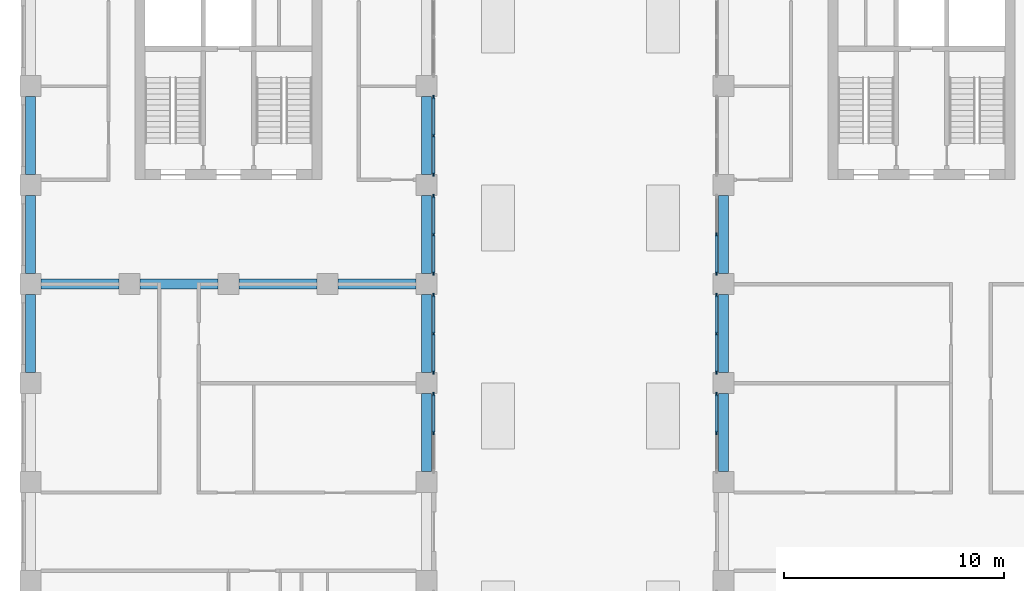
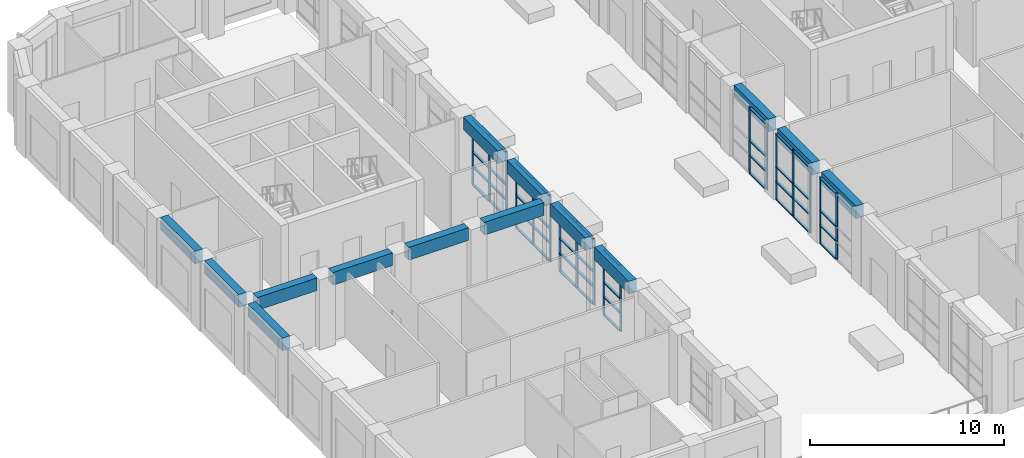
# One storey, part 3 of 20: 62 members, 14 beams, 7 elements without a shape of their own.
"""IFC4 building model written with IfcOpenShell, lengths in metres."""

import ifcopenshell
import ifcopenshell.guid

model = None  # the IFC model being written
_history = None  # IfcOwnerHistory: only IFC2X3 demands one
_inside = {}  # id of a spatial element -> (the spatial element, [elements in it])
_under = {}  # id of a project, library or spatial element -> (it, [spatial elements below it])
_declared = {}  # id of a project -> (the project, [libraries it declares])
_typed = {}  # id of a type object -> (the type object, [elements of that type])
_made_of = {}  # id of a material, layer set ... -> (it, [elements and type objects made of it])


def new_model(schema):
    """Start an empty IFC model of exactly this schema.

    Asked for "IFC4X3", IfcOpenShell would pick the latest addendum, in which some entities
    have other attributes; the version numbers below select the first issue.
    IFC2X3 requires an IfcOwnerHistory on every rooted entity: one is made here for all.
    """
    global model, _history
    if schema == "IFC4X3":
        model = ifcopenshell.file(schema_version=(4, 3, 0, 0))
    else:
        model = ifcopenshell.file(schema=schema)
    _inside.clear()
    _under.clear()
    _declared.clear()
    _typed.clear()
    _made_of.clear()
    _history = None
    if model.schema == "IFC2X3":
        org = make("IfcOrganization", Name="unknown")
        user = make(
            "IfcPersonAndOrganization",
            ThePerson=make("IfcPerson", FamilyName="unknown"),
            TheOrganization=org,
        )
        app = make(
            "IfcApplication",
            ApplicationDeveloper=org,
            Version="unknown",
            ApplicationFullName="unknown",
            ApplicationIdentifier="unknown",
        )
        _history = make(
            "IfcOwnerHistory",
            OwningUser=user,
            OwningApplication=app,
            ChangeAction="ADDED",
            CreationDate=0,
        )
    return model


def make(cls, **values):
    """One entity of the class cls with the attributes given. An attribute that is None is left unset."""
    return model.create_entity(
        cls, **{name: value for name, value in values.items() if value is not None}
    )


def rooted(cls, **values):
    """An entity with a GlobalId (a new one), such as an element, a storey or a relation."""
    return make(cls, GlobalId=ifcopenshell.guid.new(), OwnerHistory=_history, **values)


def si_unit(unit_type, name, prefix=None):
    """IfcSIUnit, for example si_unit("LENGTHUNIT", "METRE", prefix="MILLI")."""
    return make("IfcSIUnit", UnitType=unit_type, Prefix=prefix, Name=name)


def assignment(units):
    """IfcUnitAssignment: the units of a project."""
    return None if units is None else make("IfcUnitAssignment", Units=units)


def point(xyz):
    """IfcCartesianPoint."""
    return None if xyz is None else make("IfcCartesianPoint", Coordinates=xyz)


def direction(xyz):
    """IfcDirection."""
    return None if xyz is None else make("IfcDirection", DirectionRatios=xyz)


def frame(location, z_axis=None, x_axis=None):
    """IfcAxis2Placement3D, a coordinate frame: its origin and axes. An axis left out is left unset."""
    return make(
        "IfcAxis2Placement3D",
        Location=point(location),
        Axis=direction(z_axis),
        RefDirection=direction(x_axis),
    )


def frame_2d(location, x_axis=None):
    """IfcAxis2Placement2D, a coordinate frame in the plane: its origin and x axis."""
    return make(
        "IfcAxis2Placement2D", Location=point(location), RefDirection=direction(x_axis)
    )


def origin():
    """The frame at (0, 0, 0) with its axes left unset."""
    return frame((0.0, 0.0, 0.0))


def origin_2d():
    """The frame at (0, 0) in the plane with its x axis left unset."""
    return frame_2d((0.0, 0.0))


def place(relative_to, where):
    """IfcLocalPlacement: puts the frame where relative to a parent placement (None: the world)."""
    return make(
        "IfcLocalPlacement", PlacementRelTo=relative_to, RelativePlacement=where
    )


def context(
    kind, dimensions, precision=None, world=None, true_north=None, identifier=None
):
    """IfcGeometricRepresentationContext, for example the 3D "Model" context."""
    return make(
        "IfcGeometricRepresentationContext",
        ContextIdentifier=identifier,
        ContextType=kind,
        CoordinateSpaceDimension=dimensions,
        Precision=precision,
        WorldCoordinateSystem=world,
        TrueNorth=true_north,
    )


def subcontext(parent, identifier, kind, view, scale=None):
    """IfcGeometricRepresentationSubContext, for example "Body" below "Model"."""
    return make(
        "IfcGeometricRepresentationSubContext",
        ContextIdentifier=identifier,
        ContextType=kind,
        ParentContext=parent,
        TargetScale=scale,
        TargetView=view,
    )


def project(units=None, contexts=None):
    """IfcProject with its units and contexts."""
    return rooted(
        "IfcProject",
        Name="project",
        RepresentationContexts=contexts,
        UnitsInContext=assignment(units),
    )


def spatial(cls, under=None, at=None, **own):
    """A site, building, storey or space (cls), placed at a placement, below another one or the project."""
    s = rooted(cls, ObjectPlacement=at, **own)
    if under is not None:
        _under.setdefault(under.id(), (under, []))[1].append(s)
    return s


def profile(cls, at=None, kind="AREA", **sizes):
    """A parametric profile (cls). Its sizes go by their IFC names, for example OverallWidth=200.0."""
    return make(cls, ProfileType=kind, Position=at, **sizes)


def rectangle(**sizes):
    """IfcRectangleProfileDef."""
    return profile("IfcRectangleProfileDef", **sizes)


def extrude(swept, where, along, depth):
    """IfcExtrudedAreaSolid: the profile swept, set in the frame where, extruded along a direction by depth."""
    return make(
        "IfcExtrudedAreaSolid",
        SweptArea=swept,
        Position=where,
        ExtrudedDirection=direction(along),
        Depth=depth,
    )


def shape(context_of_items, identifier, shape_type, items):
    """IfcShapeRepresentation: the items that make up one representation, for example the "Body"."""
    return make(
        "IfcShapeRepresentation",
        ContextOfItems=context_of_items,
        RepresentationIdentifier=identifier,
        RepresentationType=shape_type,
        Items=items,
    )


def material(Name=None, Category=None):
    """IfcMaterial."""
    return make("IfcMaterial", Name=Name, Category=Category)


def material_profile(
    of_material, cross_section, Name=None, Category=None, Priority=None
):
    """IfcMaterialProfile: a cross section and its material."""
    return make(
        "IfcMaterialProfile",
        Name=Name,
        Material=of_material,
        Profile=cross_section,
        Priority=Priority,
        Category=Category,
    )


def profile_set(profiles, Name=None, composite=None):
    """IfcMaterialProfileSet."""
    return make(
        "IfcMaterialProfileSet",
        Name=Name,
        MaterialProfiles=profiles,
        CompositeProfile=composite,
    )


def made_of(thing, what):
    """Note that an element or type object is made of a material, layer set ...; save() writes the relation."""
    if what is not None:
        _made_of.setdefault(what.id(), (what, []))[1].append(thing)
    return thing


def type_object(cls, material=None, **own):
    """A type object (cls), such as IfcWallType, which elements share."""
    return made_of(rooted(cls, **own), material)


def element(
    cls,
    number,
    at=None,
    inside=None,
    cuts=None,
    type_object=None,
    material=None,
    context=None,
    identifier="Body",
    shape_type=None,
    held_by="IfcProductDefinitionShape",
    body=None,
    shapes=None,
    **own,
):
    """One element of the class cls, such as IfcWall. Its Tag is "e" and its number.

    at: its placement. inside: the storey or other place that contains it. cuts: it is an
    opening in that element (IfcRelVoidsElement). A single representation is given by context,
    identifier, shape_type and body (its items); several are given by shapes. held_by: the class
    of the entity that holds the representations. save() writes the other relations.
    """
    e = rooted(cls, Tag="e%d" % number, ObjectPlacement=at, **own)
    if body is not None:
        shapes = [shape(context, identifier, shape_type, body)]
    if shapes is not None:
        e.Representation = make(held_by, Representations=shapes)
    if inside is not None:
        _inside.setdefault(inside.id(), (inside, []))[1].append(e)
    if cuts is not None:
        rooted(
            "IfcRelVoidsElement", RelatingBuildingElement=cuts, RelatedOpeningElement=e
        )
    if type_object is not None:
        _typed.setdefault(type_object.id(), (type_object, []))[1].append(e)
    return made_of(e, material)


def aggregate(whole, parts):
    """IfcRelAggregates: a whole, such as a stair, and the parts it consists of."""
    return rooted("IfcRelAggregates", RelatingObject=whole, RelatedObjects=parts)


def save(model, path):
    """Write the relations noted so far, then the file.

    IfcRelAggregates (storeys below a building ...), IfcRelContainedInSpatialStructure (elements
    in a storey), IfcRelDefinesByType, IfcRelAssociatesMaterial and IfcRelDeclares: one each for
    every whole, place, type object, material and project.
    """
    for whole, parts in _under.values():
        aggregate(whole, parts)
    for where, things in _inside.values():
        rooted(
            "IfcRelContainedInSpatialStructure",
            RelatedElements=things,
            RelatingStructure=where,
        )
    for kind, things in _typed.values():
        rooted("IfcRelDefinesByType", RelatedObjects=things, RelatingType=kind)
    for what, things in _made_of.values():
        rooted("IfcRelAssociatesMaterial", RelatedObjects=things, RelatingMaterial=what)
    for by, libraries in _declared.values():
        rooted("IfcRelDeclares", RelatingContext=by, RelatedDefinitions=libraries)
    model.write(path)


model = new_model("IFC4")

# Units and contexts
model_context = context("Model", 3, precision=1e-05, world=origin(), true_north=direction((0.0, 1.0)))
body_context = subcontext(model_context, "Body", "Model", "MODEL_VIEW")
ifc_project = project(units=[si_unit("LENGTHUNIT", "METRE"), si_unit("AREAUNIT", "SQUARE_METRE"), si_unit("VOLUMEUNIT", "CUBIC_METRE"), si_unit("PLANEANGLEUNIT", "RADIAN"), si_unit("MASSUNIT", "GRAM", prefix="KILO")], contexts=[model_context])

# Site, building, storey
site_placement = place(None, origin())
site = spatial("IfcSite", under=ifc_project, at=site_placement, CompositionType="ELEMENT")
building_placement = place(site_placement, origin())
building = spatial("IfcBuilding", under=site, at=building_placement, Name="Girih Gate Residences", CompositionType="ELEMENT")
storey_placement = place(building_placement, frame((0.0, 0.0, 146.199951171875)))
storey = spatial("IfcBuildingStorey", under=building, at=storey_placement, Name="L41", CompositionType="ELEMENT", Elevation=146.199951171875)

# Curtain wall, members
ifc_material_1 = material(Name="Aluminium curtain wall frame", Category="aluminium")
curtain_wall_type = type_object("IfcCurtainWallType", Name="Curtain wall CW-3 sky lounge glazing", PredefinedType="NOTDEFINED", material=ifc_material_1)
curtain_wall_1_placement = place(storey_placement, origin())
curtain_wall_1 = element("IfcCurtainWall", 1, at=curtain_wall_1_placement, inside=storey, type_object=curtain_wall_type, Name="CW-3 Sky lounge glazing E0180_0000.3", PredefinedType="NOTDEFINED")
ifc_material_profile_1 = material_profile(ifc_material_1, rectangle(XDim=0.06005859375, YDim=0.179931640625, at=origin_2d()))
ifc_profile_set_1 = profile_set([ifc_material_profile_1], Name="Aluminium curtain wall frame")
member_type_1 = type_object("IfcMemberType", Name="Curtain wall mullion 60x180", PredefinedType="MULLION", material=ifc_profile_set_1)
member_1_placement = place(storey_placement, frame((18.31494140625, 15.75, 0.0), z_axis=(0.0, 0.0, 1.0), x_axis=(-1.0, 0.0, 0.0)))
member_1 = element("IfcMember", 2, at=member_1_placement, type_object=member_type_1, Name="CW-3 mullion 2", PredefinedType="MULLION", context=body_context, shape_type="SweptSolid", body=[
    extrude(rectangle(XDim=0.06005859375, YDim=0.179931640625, at=origin_2d()), origin(), (0.0, 0.0, 1.0), 4.150146484375),
])
member_2_placement = place(storey_placement, frame((18.31494140625, 17.4951171875, 0.0), z_axis=(0.0, 0.0, 1.0), x_axis=(-1.0, 0.0, 0.0)))
member_2 = element("IfcMember", 3, at=member_2_placement, type_object=member_type_1, Name="CW-3 mullion 3", PredefinedType="MULLION", context=body_context, shape_type="SweptSolid", body=[
    extrude(rectangle(XDim=0.06005859375, YDim=0.179931640625, at=origin_2d()), origin(), (0.0, 0.0, 1.0), 4.150146484375),
])

curtain_wall_2_placement = place(storey_placement, origin())
curtain_wall_2 = element("IfcCurtainWall", 4, at=curtain_wall_2_placement, inside=storey, type_object=curtain_wall_type, Name="CW-3 Sky lounge glazing E0180_0000.4", PredefinedType="NOTDEFINED")
member_3_placement = place(storey_placement, frame((18.31494140625, 18.5048828125, 0.0), z_axis=(0.0, 0.0, 1.0), x_axis=(-1.0, 0.0, 0.0)))
member_3 = element("IfcMember", 5, at=member_3_placement, type_object=member_type_1, Name="CW-3 mullion 1", PredefinedType="MULLION", context=body_context, shape_type="SweptSolid", body=[
    extrude(rectangle(XDim=0.06005859375, YDim=0.179931640625, at=origin_2d()), origin(), (0.0, 0.0, 1.0), 4.150146484375),
])
member_4_placement = place(storey_placement, frame((18.31494140625, 20.25, 0.0), z_axis=(0.0, 0.0, 1.0), x_axis=(-1.0, 0.0, 0.0)))
member_4 = element("IfcMember", 6, at=member_4_placement, type_object=member_type_1, Name="CW-3 mullion 2", PredefinedType="MULLION", context=body_context, shape_type="SweptSolid", body=[
    extrude(rectangle(XDim=0.06005859375, YDim=0.179931640625, at=origin_2d()), origin(), (0.0, 0.0, 1.0), 4.150146484375),
])
member_5_placement = place(storey_placement, frame((18.31494140625, 21.9951171875, 0.0), z_axis=(0.0, 0.0, 1.0), x_axis=(-1.0, 0.0, 0.0)))
member_5 = element("IfcMember", 7, at=member_5_placement, type_object=member_type_1, Name="CW-3 mullion 3", PredefinedType="MULLION", context=body_context, shape_type="SweptSolid", body=[
    extrude(rectangle(XDim=0.06005859375, YDim=0.179931640625, at=origin_2d()), origin(), (0.0, 0.0, 1.0), 4.150146484375),
])

curtain_wall_3_placement = place(storey_placement, origin())
curtain_wall_3 = element("IfcCurtainWall", 8, at=curtain_wall_3_placement, inside=storey, type_object=curtain_wall_type, Name="CW-3 Sky lounge glazing E0180_0000.5", PredefinedType="NOTDEFINED")
member_6_placement = place(storey_placement, frame((18.31494140625, 23.0048828125, 0.0), z_axis=(0.0, 0.0, 1.0), x_axis=(-1.0, 0.0, 0.0)))
member_6 = element("IfcMember", 9, at=member_6_placement, type_object=member_type_1, Name="CW-3 mullion 1", PredefinedType="MULLION", context=body_context, shape_type="SweptSolid", body=[
    extrude(rectangle(XDim=0.06005859375, YDim=0.179931640625, at=origin_2d()), origin(), (0.0, 0.0, 1.0), 4.150146484375),
])
member_7_placement = place(storey_placement, frame((18.31494140625, 24.75, 0.0), z_axis=(0.0, 0.0, 1.0), x_axis=(-1.0, 0.0, 0.0)))
member_7 = element("IfcMember", 10, at=member_7_placement, type_object=member_type_1, Name="CW-3 mullion 2", PredefinedType="MULLION", context=body_context, shape_type="SweptSolid", body=[
    extrude(rectangle(XDim=0.06005859375, YDim=0.179931640625, at=origin_2d()), origin(), (0.0, 0.0, 1.0), 4.150146484375),
])
member_8_placement = place(storey_placement, frame((18.31494140625, 26.4951171875, 0.0), z_axis=(0.0, 0.0, 1.0), x_axis=(-1.0, 0.0, 0.0)))
member_8 = element("IfcMember", 11, at=member_8_placement, type_object=member_type_1, Name="CW-3 mullion 3", PredefinedType="MULLION", context=body_context, shape_type="SweptSolid", body=[
    extrude(rectangle(XDim=0.06005859375, YDim=0.179931640625, at=origin_2d()), origin(), (0.0, 0.0, 1.0), 4.150146484375),
])

curtain_wall_4_placement = place(storey_placement, origin())
curtain_wall_4 = element("IfcCurtainWall", 12, at=curtain_wall_4_placement, inside=storey, type_object=curtain_wall_type, Name="CW-3 Sky lounge glazing E0180_0000.6", PredefinedType="NOTDEFINED")
member_9_placement = place(storey_placement, frame((18.31494140625, 27.5048828125, 0.0), z_axis=(0.0, 0.0, 1.0), x_axis=(-1.0, 0.0, 0.0)))
member_9 = element("IfcMember", 13, at=member_9_placement, type_object=member_type_1, Name="CW-3 mullion 1", PredefinedType="MULLION", context=body_context, shape_type="SweptSolid", body=[
    extrude(rectangle(XDim=0.06005859375, YDim=0.179931640625, at=origin_2d()), origin(), (0.0, 0.0, 1.0), 4.150146484375),
])
member_10_placement = place(storey_placement, frame((18.31494140625, 29.25, 0.0), z_axis=(0.0, 0.0, 1.0), x_axis=(-1.0, 0.0, 0.0)))
member_10 = element("IfcMember", 14, at=member_10_placement, type_object=member_type_1, Name="CW-3 mullion 2", PredefinedType="MULLION", context=body_context, shape_type="SweptSolid", body=[
    extrude(rectangle(XDim=0.06005859375, YDim=0.179931640625, at=origin_2d()), origin(), (0.0, 0.0, 1.0), 4.150146484375),
])
member_11_placement = place(storey_placement, frame((18.31494140625, 30.9951171875, 0.0), z_axis=(0.0, 0.0, 1.0), x_axis=(-1.0, 0.0, 0.0)))
member_11 = element("IfcMember", 15, at=member_11_placement, type_object=member_type_1, Name="CW-3 mullion 3", PredefinedType="MULLION", context=body_context, shape_type="SweptSolid", body=[
    extrude(rectangle(XDim=0.06005859375, YDim=0.179931640625, at=origin_2d()), origin(), (0.0, 0.0, 1.0), 4.150146484375),
])

curtain_wall_5_placement = place(storey_placement, origin())
curtain_wall_5 = element("IfcCurtainWall", 16, at=curtain_wall_5_placement, inside=storey, type_object=curtain_wall_type, Name="CW-3 Sky lounge glazing W0315_0495.5", PredefinedType="NOTDEFINED")
member_12_placement = place(storey_placement, frame((31.18505859375, 24.75, 0.0), z_axis=(0.0, 0.0, 1.0), x_axis=(1.0, 0.0, 0.0)))
member_12 = element("IfcMember", 17, at=member_12_placement, type_object=member_type_1, Name="CW-3 mullion 2", PredefinedType="MULLION", context=body_context, shape_type="SweptSolid", body=[
    extrude(rectangle(XDim=0.06005859375, YDim=0.179931640625, at=origin_2d()), origin(), (0.0, 0.0, 1.0), 4.150146484375),
])
member_13_placement = place(storey_placement, frame((31.18505859375, 23.0048828125, 0.0), z_axis=(0.0, 0.0, 1.0), x_axis=(1.0, 0.0, 0.0)))
member_13 = element("IfcMember", 18, at=member_13_placement, type_object=member_type_1, Name="CW-3 mullion 3", PredefinedType="MULLION", context=body_context, shape_type="SweptSolid", body=[
    extrude(rectangle(XDim=0.06005859375, YDim=0.179931640625, at=origin_2d()), origin(), (0.0, 0.0, 1.0), 4.150146484375),
])

curtain_wall_6_placement = place(storey_placement, origin())
curtain_wall_6 = element("IfcCurtainWall", 19, at=curtain_wall_6_placement, inside=storey, type_object=curtain_wall_type, Name="CW-3 Sky lounge glazing W0315_0495.6", PredefinedType="NOTDEFINED")
member_14_placement = place(storey_placement, frame((31.18505859375, 21.9951171875, 0.0), z_axis=(0.0, 0.0, 1.0), x_axis=(1.0, 0.0, 0.0)))
member_14 = element("IfcMember", 20, at=member_14_placement, type_object=member_type_1, Name="CW-3 mullion 1", PredefinedType="MULLION", context=body_context, shape_type="SweptSolid", body=[
    extrude(rectangle(XDim=0.06005859375, YDim=0.179931640625, at=origin_2d()), origin(), (0.0, 0.0, 1.0), 4.150146484375),
])
member_15_placement = place(storey_placement, frame((31.18505859375, 20.25, 0.0), z_axis=(0.0, 0.0, 1.0), x_axis=(1.0, 0.0, 0.0)))
member_15 = element("IfcMember", 21, at=member_15_placement, type_object=member_type_1, Name="CW-3 mullion 2", PredefinedType="MULLION", context=body_context, shape_type="SweptSolid", body=[
    extrude(rectangle(XDim=0.06005859375, YDim=0.179931640625, at=origin_2d()), origin(), (0.0, 0.0, 1.0), 4.150146484375),
])
member_16_placement = place(storey_placement, frame((31.18505859375, 18.5048828125, 0.0), z_axis=(0.0, 0.0, 1.0), x_axis=(1.0, 0.0, 0.0)))
member_16 = element("IfcMember", 22, at=member_16_placement, type_object=member_type_1, Name="CW-3 mullion 3", PredefinedType="MULLION", context=body_context, shape_type="SweptSolid", body=[
    extrude(rectangle(XDim=0.06005859375, YDim=0.179931640625, at=origin_2d()), origin(), (0.0, 0.0, 1.0), 4.150146484375),
])

curtain_wall_7_placement = place(storey_placement, origin())
curtain_wall_7 = element("IfcCurtainWall", 23, at=curtain_wall_7_placement, inside=storey, type_object=curtain_wall_type, Name="CW-3 Sky lounge glazing W0315_0495.7", PredefinedType="NOTDEFINED")
member_17_placement = place(storey_placement, frame((31.18505859375, 17.4951171875, 0.0), z_axis=(0.0, 0.0, 1.0), x_axis=(1.0, 0.0, 0.0)))
member_17 = element("IfcMember", 24, at=member_17_placement, type_object=member_type_1, Name="CW-3 mullion 1", PredefinedType="MULLION", context=body_context, shape_type="SweptSolid", body=[
    extrude(rectangle(XDim=0.06005859375, YDim=0.179931640625, at=origin_2d()), origin(), (0.0, 0.0, 1.0), 4.150146484375),
])
member_18_placement = place(storey_placement, frame((31.18505859375, 15.75, 0.0), z_axis=(0.0, 0.0, 1.0), x_axis=(1.0, 0.0, 0.0)))
member_18 = element("IfcMember", 25, at=member_18_placement, type_object=member_type_1, Name="CW-3 mullion 2", PredefinedType="MULLION", context=body_context, shape_type="SweptSolid", body=[
    extrude(rectangle(XDim=0.06005859375, YDim=0.179931640625, at=origin_2d()), origin(), (0.0, 0.0, 1.0), 4.150146484375),
])

# Member
ifc_material_profile_2 = material_profile(ifc_material_1, rectangle(XDim=0.139892578125, YDim=0.06005859375, at=origin_2d()))
ifc_profile_set_2 = profile_set([ifc_material_profile_2], Name="Aluminium curtain wall frame")
member_type_2 = type_object("IfcMemberType", Name="Curtain wall transom 60x140", PredefinedType="USERDEFINED", material=ifc_profile_set_2)
member_19_placement = place(storey_placement, frame((18.31494140625, 15.780029296875, 0.030029296875), z_axis=(0.0, 1.0, 0.0), x_axis=(-1.0, 0.0, 0.0)))
member_19 = element("IfcMember", 26, at=member_19_placement, type_object=member_type_2, Name="CW-3 transom 2.1", ObjectType="TRANSOM", PredefinedType="USERDEFINED", context=body_context, shape_type="SweptSolid", body=[
    extrude(rectangle(XDim=0.139892578125, YDim=0.06005859375, at=origin_2d()), origin(), (0.0, 0.0, 1.0), 1.68505859375),
])

member_20_placement = place(storey_placement, frame((18.31494140625, 15.780029296875, 1.150146484375), z_axis=(0.0, 1.0, 0.0), x_axis=(-1.0, 0.0, 0.0)))
member_20 = element("IfcMember", 27, at=member_20_placement, type_object=member_type_2, Name="CW-3 transom 2.2", ObjectType="TRANSOM", PredefinedType="USERDEFINED", context=body_context, shape_type="SweptSolid", body=[
    extrude(rectangle(XDim=0.139892578125, YDim=0.06005859375, at=origin_2d()), origin(), (0.0, 0.0, 1.0), 1.68505859375),
])

member_21_placement = place(storey_placement, frame((18.31494140625, 15.780029296875, 2.074951171875), z_axis=(0.0, 1.0, 0.0), x_axis=(-1.0, 0.0, 0.0)))
member_21 = element("IfcMember", 28, at=member_21_placement, type_object=member_type_2, Name="CW-3 transom 2.3", ObjectType="TRANSOM", PredefinedType="USERDEFINED", context=body_context, shape_type="SweptSolid", body=[
    extrude(rectangle(XDim=0.139892578125, YDim=0.06005859375, at=origin_2d()), origin(), (0.0, 0.0, 1.0), 1.68505859375),
])

member_22_placement = place(storey_placement, frame((18.31494140625, 15.780029296875, 4.1201171875), z_axis=(0.0, 1.0, 0.0), x_axis=(-1.0, 0.0, 0.0)))
member_22 = element("IfcMember", 29, at=member_22_placement, type_object=member_type_2, Name="CW-3 transom 2.4", ObjectType="TRANSOM", PredefinedType="USERDEFINED", context=body_context, shape_type="SweptSolid", body=[
    extrude(rectangle(XDim=0.139892578125, YDim=0.06005859375, at=origin_2d()), origin(), (0.0, 0.0, 1.0), 1.68505859375),
])

aggregate(curtain_wall_1, [member_1, member_2, member_19, member_20, member_21, member_22])

member_23_placement = place(storey_placement, frame((18.31494140625, 18.534912109375, 0.030029296875), z_axis=(0.0, 1.0, 0.0), x_axis=(-1.0, 0.0, 0.0)))
member_23 = element("IfcMember", 30, at=member_23_placement, type_object=member_type_2, Name="CW-3 transom 1.1", ObjectType="TRANSOM", PredefinedType="USERDEFINED", context=body_context, shape_type="SweptSolid", body=[
    extrude(rectangle(XDim=0.139892578125, YDim=0.06005859375, at=origin_2d()), origin(), (0.0, 0.0, 1.0), 1.68505859375),
])

member_24_placement = place(storey_placement, frame((18.31494140625, 18.534912109375, 1.150146484375), z_axis=(0.0, 1.0, 0.0), x_axis=(-1.0, 0.0, 0.0)))
member_24 = element("IfcMember", 31, at=member_24_placement, type_object=member_type_2, Name="CW-3 transom 1.2", ObjectType="TRANSOM", PredefinedType="USERDEFINED", context=body_context, shape_type="SweptSolid", body=[
    extrude(rectangle(XDim=0.139892578125, YDim=0.06005859375, at=origin_2d()), origin(), (0.0, 0.0, 1.0), 1.68505859375),
])

member_25_placement = place(storey_placement, frame((18.31494140625, 18.534912109375, 2.074951171875), z_axis=(0.0, 1.0, 0.0), x_axis=(-1.0, 0.0, 0.0)))
member_25 = element("IfcMember", 32, at=member_25_placement, type_object=member_type_2, Name="CW-3 transom 1.3", ObjectType="TRANSOM", PredefinedType="USERDEFINED", context=body_context, shape_type="SweptSolid", body=[
    extrude(rectangle(XDim=0.139892578125, YDim=0.06005859375, at=origin_2d()), origin(), (0.0, 0.0, 1.0), 1.68505859375),
])

member_26_placement = place(storey_placement, frame((18.31494140625, 18.534912109375, 4.1201171875), z_axis=(0.0, 1.0, 0.0), x_axis=(-1.0, 0.0, 0.0)))
member_26 = element("IfcMember", 33, at=member_26_placement, type_object=member_type_2, Name="CW-3 transom 1.4", ObjectType="TRANSOM", PredefinedType="USERDEFINED", context=body_context, shape_type="SweptSolid", body=[
    extrude(rectangle(XDim=0.139892578125, YDim=0.06005859375, at=origin_2d()), origin(), (0.0, 0.0, 1.0), 1.68505859375),
])

member_27_placement = place(storey_placement, frame((18.31494140625, 20.280029296875, 0.030029296875), z_axis=(0.0, 1.0, 0.0), x_axis=(-1.0, 0.0, 0.0)))
member_27 = element("IfcMember", 34, at=member_27_placement, type_object=member_type_2, Name="CW-3 transom 2.1", ObjectType="TRANSOM", PredefinedType="USERDEFINED", context=body_context, shape_type="SweptSolid", body=[
    extrude(rectangle(XDim=0.139892578125, YDim=0.06005859375, at=origin_2d()), origin(), (0.0, 0.0, 1.0), 1.68505859375),
])

member_28_placement = place(storey_placement, frame((18.31494140625, 20.280029296875, 1.150146484375), z_axis=(0.0, 1.0, 0.0), x_axis=(-1.0, 0.0, 0.0)))
member_28 = element("IfcMember", 35, at=member_28_placement, type_object=member_type_2, Name="CW-3 transom 2.2", ObjectType="TRANSOM", PredefinedType="USERDEFINED", context=body_context, shape_type="SweptSolid", body=[
    extrude(rectangle(XDim=0.139892578125, YDim=0.06005859375, at=origin_2d()), origin(), (0.0, 0.0, 1.0), 1.68505859375),
])

member_29_placement = place(storey_placement, frame((18.31494140625, 20.280029296875, 2.074951171875), z_axis=(0.0, 1.0, 0.0), x_axis=(-1.0, 0.0, 0.0)))
member_29 = element("IfcMember", 36, at=member_29_placement, type_object=member_type_2, Name="CW-3 transom 2.3", ObjectType="TRANSOM", PredefinedType="USERDEFINED", context=body_context, shape_type="SweptSolid", body=[
    extrude(rectangle(XDim=0.139892578125, YDim=0.06005859375, at=origin_2d()), origin(), (0.0, 0.0, 1.0), 1.68505859375),
])

member_30_placement = place(storey_placement, frame((18.31494140625, 20.280029296875, 4.1201171875), z_axis=(0.0, 1.0, 0.0), x_axis=(-1.0, 0.0, 0.0)))
member_30 = element("IfcMember", 37, at=member_30_placement, type_object=member_type_2, Name="CW-3 transom 2.4", ObjectType="TRANSOM", PredefinedType="USERDEFINED", context=body_context, shape_type="SweptSolid", body=[
    extrude(rectangle(XDim=0.139892578125, YDim=0.06005859375, at=origin_2d()), origin(), (0.0, 0.0, 1.0), 1.68505859375),
])

aggregate(curtain_wall_2, [member_3, member_4, member_5, member_23, member_24, member_25, member_26, member_27, member_28, member_29, member_30])

member_31_placement = place(storey_placement, frame((18.31494140625, 23.034912109375, 0.030029296875), z_axis=(0.0, 1.0, 0.0), x_axis=(-1.0, 0.0, 0.0)))
member_31 = element("IfcMember", 38, at=member_31_placement, type_object=member_type_2, Name="CW-3 transom 1.1", ObjectType="TRANSOM", PredefinedType="USERDEFINED", context=body_context, shape_type="SweptSolid", body=[
    extrude(rectangle(XDim=0.139892578125, YDim=0.06005859375, at=origin_2d()), origin(), (0.0, 0.0, 1.0), 1.68505859375),
])

member_32_placement = place(storey_placement, frame((18.31494140625, 23.034912109375, 1.150146484375), z_axis=(0.0, 1.0, 0.0), x_axis=(-1.0, 0.0, 0.0)))
member_32 = element("IfcMember", 39, at=member_32_placement, type_object=member_type_2, Name="CW-3 transom 1.2", ObjectType="TRANSOM", PredefinedType="USERDEFINED", context=body_context, shape_type="SweptSolid", body=[
    extrude(rectangle(XDim=0.139892578125, YDim=0.06005859375, at=origin_2d()), origin(), (0.0, 0.0, 1.0), 1.68505859375),
])

member_33_placement = place(storey_placement, frame((18.31494140625, 23.034912109375, 2.074951171875), z_axis=(0.0, 1.0, 0.0), x_axis=(-1.0, 0.0, 0.0)))
member_33 = element("IfcMember", 40, at=member_33_placement, type_object=member_type_2, Name="CW-3 transom 1.3", ObjectType="TRANSOM", PredefinedType="USERDEFINED", context=body_context, shape_type="SweptSolid", body=[
    extrude(rectangle(XDim=0.139892578125, YDim=0.06005859375, at=origin_2d()), origin(), (0.0, 0.0, 1.0), 1.68505859375),
])

member_34_placement = place(storey_placement, frame((18.31494140625, 23.034912109375, 4.1201171875), z_axis=(0.0, 1.0, 0.0), x_axis=(-1.0, 0.0, 0.0)))
member_34 = element("IfcMember", 41, at=member_34_placement, type_object=member_type_2, Name="CW-3 transom 1.4", ObjectType="TRANSOM", PredefinedType="USERDEFINED", context=body_context, shape_type="SweptSolid", body=[
    extrude(rectangle(XDim=0.139892578125, YDim=0.06005859375, at=origin_2d()), origin(), (0.0, 0.0, 1.0), 1.68505859375),
])

member_35_placement = place(storey_placement, frame((18.31494140625, 24.780029296875, 0.030029296875), z_axis=(0.0, 1.0, 0.0), x_axis=(-1.0, 0.0, 0.0)))
member_35 = element("IfcMember", 42, at=member_35_placement, type_object=member_type_2, Name="CW-3 transom 2.1", ObjectType="TRANSOM", PredefinedType="USERDEFINED", context=body_context, shape_type="SweptSolid", body=[
    extrude(rectangle(XDim=0.139892578125, YDim=0.06005859375, at=origin_2d()), origin(), (0.0, 0.0, 1.0), 1.68505859375),
])

member_36_placement = place(storey_placement, frame((18.31494140625, 24.780029296875, 1.150146484375), z_axis=(0.0, 1.0, 0.0), x_axis=(-1.0, 0.0, 0.0)))
member_36 = element("IfcMember", 43, at=member_36_placement, type_object=member_type_2, Name="CW-3 transom 2.2", ObjectType="TRANSOM", PredefinedType="USERDEFINED", context=body_context, shape_type="SweptSolid", body=[
    extrude(rectangle(XDim=0.139892578125, YDim=0.06005859375, at=origin_2d()), origin(), (0.0, 0.0, 1.0), 1.68505859375),
])

member_37_placement = place(storey_placement, frame((18.31494140625, 24.780029296875, 2.074951171875), z_axis=(0.0, 1.0, 0.0), x_axis=(-1.0, 0.0, 0.0)))
member_37 = element("IfcMember", 44, at=member_37_placement, type_object=member_type_2, Name="CW-3 transom 2.3", ObjectType="TRANSOM", PredefinedType="USERDEFINED", context=body_context, shape_type="SweptSolid", body=[
    extrude(rectangle(XDim=0.139892578125, YDim=0.06005859375, at=origin_2d()), origin(), (0.0, 0.0, 1.0), 1.68505859375),
])

member_38_placement = place(storey_placement, frame((18.31494140625, 24.780029296875, 4.1201171875), z_axis=(0.0, 1.0, 0.0), x_axis=(-1.0, 0.0, 0.0)))
member_38 = element("IfcMember", 45, at=member_38_placement, type_object=member_type_2, Name="CW-3 transom 2.4", ObjectType="TRANSOM", PredefinedType="USERDEFINED", context=body_context, shape_type="SweptSolid", body=[
    extrude(rectangle(XDim=0.139892578125, YDim=0.06005859375, at=origin_2d()), origin(), (0.0, 0.0, 1.0), 1.68505859375),
])

aggregate(curtain_wall_3, [member_6, member_7, member_8, member_31, member_32, member_33, member_34, member_35, member_36, member_37, member_38])

member_39_placement = place(storey_placement, frame((18.31494140625, 27.534912109375, 0.030029296875), z_axis=(0.0, 1.0, 0.0), x_axis=(-1.0, 0.0, 0.0)))
member_39 = element("IfcMember", 46, at=member_39_placement, type_object=member_type_2, Name="CW-3 transom 1.1", ObjectType="TRANSOM", PredefinedType="USERDEFINED", context=body_context, shape_type="SweptSolid", body=[
    extrude(rectangle(XDim=0.139892578125, YDim=0.06005859375, at=origin_2d()), origin(), (0.0, 0.0, 1.0), 1.68505859375),
])

member_40_placement = place(storey_placement, frame((18.31494140625, 27.534912109375, 1.150146484375), z_axis=(0.0, 1.0, 0.0), x_axis=(-1.0, 0.0, 0.0)))
member_40 = element("IfcMember", 47, at=member_40_placement, type_object=member_type_2, Name="CW-3 transom 1.2", ObjectType="TRANSOM", PredefinedType="USERDEFINED", context=body_context, shape_type="SweptSolid", body=[
    extrude(rectangle(XDim=0.139892578125, YDim=0.06005859375, at=origin_2d()), origin(), (0.0, 0.0, 1.0), 1.68505859375),
])

member_41_placement = place(storey_placement, frame((18.31494140625, 27.534912109375, 2.074951171875), z_axis=(0.0, 1.0, 0.0), x_axis=(-1.0, 0.0, 0.0)))
member_41 = element("IfcMember", 48, at=member_41_placement, type_object=member_type_2, Name="CW-3 transom 1.3", ObjectType="TRANSOM", PredefinedType="USERDEFINED", context=body_context, shape_type="SweptSolid", body=[
    extrude(rectangle(XDim=0.139892578125, YDim=0.06005859375, at=origin_2d()), origin(), (0.0, 0.0, 1.0), 1.68505859375),
])

member_42_placement = place(storey_placement, frame((18.31494140625, 27.534912109375, 4.1201171875), z_axis=(0.0, 1.0, 0.0), x_axis=(-1.0, 0.0, 0.0)))
member_42 = element("IfcMember", 49, at=member_42_placement, type_object=member_type_2, Name="CW-3 transom 1.4", ObjectType="TRANSOM", PredefinedType="USERDEFINED", context=body_context, shape_type="SweptSolid", body=[
    extrude(rectangle(XDim=0.139892578125, YDim=0.06005859375, at=origin_2d()), origin(), (0.0, 0.0, 1.0), 1.68505859375),
])

member_43_placement = place(storey_placement, frame((18.31494140625, 29.280029296875, 0.030029296875), z_axis=(0.0, 1.0, 0.0), x_axis=(-1.0, 0.0, 0.0)))
member_43 = element("IfcMember", 50, at=member_43_placement, type_object=member_type_2, Name="CW-3 transom 2.1", ObjectType="TRANSOM", PredefinedType="USERDEFINED", context=body_context, shape_type="SweptSolid", body=[
    extrude(rectangle(XDim=0.139892578125, YDim=0.06005859375, at=origin_2d()), origin(), (0.0, 0.0, 1.0), 1.68505859375),
])

member_44_placement = place(storey_placement, frame((18.31494140625, 29.280029296875, 1.150146484375), z_axis=(0.0, 1.0, 0.0), x_axis=(-1.0, 0.0, 0.0)))
member_44 = element("IfcMember", 51, at=member_44_placement, type_object=member_type_2, Name="CW-3 transom 2.2", ObjectType="TRANSOM", PredefinedType="USERDEFINED", context=body_context, shape_type="SweptSolid", body=[
    extrude(rectangle(XDim=0.139892578125, YDim=0.06005859375, at=origin_2d()), origin(), (0.0, 0.0, 1.0), 1.68505859375),
])

member_45_placement = place(storey_placement, frame((18.31494140625, 29.280029296875, 2.074951171875), z_axis=(0.0, 1.0, 0.0), x_axis=(-1.0, 0.0, 0.0)))
member_45 = element("IfcMember", 52, at=member_45_placement, type_object=member_type_2, Name="CW-3 transom 2.3", ObjectType="TRANSOM", PredefinedType="USERDEFINED", context=body_context, shape_type="SweptSolid", body=[
    extrude(rectangle(XDim=0.139892578125, YDim=0.06005859375, at=origin_2d()), origin(), (0.0, 0.0, 1.0), 1.68505859375),
])

member_46_placement = place(storey_placement, frame((18.31494140625, 29.280029296875, 4.1201171875), z_axis=(0.0, 1.0, 0.0), x_axis=(-1.0, 0.0, 0.0)))
member_46 = element("IfcMember", 53, at=member_46_placement, type_object=member_type_2, Name="CW-3 transom 2.4", ObjectType="TRANSOM", PredefinedType="USERDEFINED", context=body_context, shape_type="SweptSolid", body=[
    extrude(rectangle(XDim=0.139892578125, YDim=0.06005859375, at=origin_2d()), origin(), (0.0, 0.0, 1.0), 1.68505859375),
])

aggregate(curtain_wall_4, [member_9, member_10, member_11, member_39, member_40, member_41, member_42, member_43, member_44, member_45, member_46])

member_47_placement = place(storey_placement, frame((31.18505859375, 24.719970703125, 0.030029296875), z_axis=(0.0, -1.0, 0.0), x_axis=(1.0, 0.0, 0.0)))
member_47 = element("IfcMember", 54, at=member_47_placement, type_object=member_type_2, Name="CW-3 transom 2.1", ObjectType="TRANSOM", PredefinedType="USERDEFINED", context=body_context, shape_type="SweptSolid", body=[
    extrude(rectangle(XDim=0.139892578125, YDim=0.06005859375, at=origin_2d()), origin(), (0.0, 0.0, 1.0), 1.68505859375),
])

member_48_placement = place(storey_placement, frame((31.18505859375, 24.719970703125, 1.150146484375), z_axis=(0.0, -1.0, 0.0), x_axis=(1.0, 0.0, 0.0)))
member_48 = element("IfcMember", 55, at=member_48_placement, type_object=member_type_2, Name="CW-3 transom 2.2", ObjectType="TRANSOM", PredefinedType="USERDEFINED", context=body_context, shape_type="SweptSolid", body=[
    extrude(rectangle(XDim=0.139892578125, YDim=0.06005859375, at=origin_2d()), origin(), (0.0, 0.0, 1.0), 1.68505859375),
])

member_49_placement = place(storey_placement, frame((31.18505859375, 24.719970703125, 2.074951171875), z_axis=(0.0, -1.0, 0.0), x_axis=(1.0, 0.0, 0.0)))
member_49 = element("IfcMember", 56, at=member_49_placement, type_object=member_type_2, Name="CW-3 transom 2.3", ObjectType="TRANSOM", PredefinedType="USERDEFINED", context=body_context, shape_type="SweptSolid", body=[
    extrude(rectangle(XDim=0.139892578125, YDim=0.06005859375, at=origin_2d()), origin(), (0.0, 0.0, 1.0), 1.68505859375),
])

member_50_placement = place(storey_placement, frame((31.18505859375, 24.719970703125, 4.1201171875), z_axis=(0.0, -1.0, 0.0), x_axis=(1.0, 0.0, 0.0)))
member_50 = element("IfcMember", 57, at=member_50_placement, type_object=member_type_2, Name="CW-3 transom 2.4", ObjectType="TRANSOM", PredefinedType="USERDEFINED", context=body_context, shape_type="SweptSolid", body=[
    extrude(rectangle(XDim=0.139892578125, YDim=0.06005859375, at=origin_2d()), origin(), (0.0, 0.0, 1.0), 1.68505859375),
])

aggregate(curtain_wall_5, [member_12, member_13, member_47, member_48, member_49, member_50])

member_51_placement = place(storey_placement, frame((31.18505859375, 21.965087890625, 0.030029296875), z_axis=(0.0, -1.0, 0.0), x_axis=(1.0, 0.0, 0.0)))
member_51 = element("IfcMember", 58, at=member_51_placement, type_object=member_type_2, Name="CW-3 transom 1.1", ObjectType="TRANSOM", PredefinedType="USERDEFINED", context=body_context, shape_type="SweptSolid", body=[
    extrude(rectangle(XDim=0.139892578125, YDim=0.06005859375, at=origin_2d()), origin(), (0.0, 0.0, 1.0), 1.68505859375),
])

member_52_placement = place(storey_placement, frame((31.18505859375, 21.965087890625, 1.150146484375), z_axis=(0.0, -1.0, 0.0), x_axis=(1.0, 0.0, 0.0)))
member_52 = element("IfcMember", 59, at=member_52_placement, type_object=member_type_2, Name="CW-3 transom 1.2", ObjectType="TRANSOM", PredefinedType="USERDEFINED", context=body_context, shape_type="SweptSolid", body=[
    extrude(rectangle(XDim=0.139892578125, YDim=0.06005859375, at=origin_2d()), origin(), (0.0, 0.0, 1.0), 1.68505859375),
])

member_53_placement = place(storey_placement, frame((31.18505859375, 21.965087890625, 2.074951171875), z_axis=(0.0, -1.0, 0.0), x_axis=(1.0, 0.0, 0.0)))
member_53 = element("IfcMember", 60, at=member_53_placement, type_object=member_type_2, Name="CW-3 transom 1.3", ObjectType="TRANSOM", PredefinedType="USERDEFINED", context=body_context, shape_type="SweptSolid", body=[
    extrude(rectangle(XDim=0.139892578125, YDim=0.06005859375, at=origin_2d()), origin(), (0.0, 0.0, 1.0), 1.68505859375),
])

member_54_placement = place(storey_placement, frame((31.18505859375, 21.965087890625, 4.1201171875), z_axis=(0.0, -1.0, 0.0), x_axis=(1.0, 0.0, 0.0)))
member_54 = element("IfcMember", 61, at=member_54_placement, type_object=member_type_2, Name="CW-3 transom 1.4", ObjectType="TRANSOM", PredefinedType="USERDEFINED", context=body_context, shape_type="SweptSolid", body=[
    extrude(rectangle(XDim=0.139892578125, YDim=0.06005859375, at=origin_2d()), origin(), (0.0, 0.0, 1.0), 1.68505859375),
])

member_55_placement = place(storey_placement, frame((31.18505859375, 20.219970703125, 0.030029296875), z_axis=(0.0, -1.0, 0.0), x_axis=(1.0, 0.0, 0.0)))
member_55 = element("IfcMember", 62, at=member_55_placement, type_object=member_type_2, Name="CW-3 transom 2.1", ObjectType="TRANSOM", PredefinedType="USERDEFINED", context=body_context, shape_type="SweptSolid", body=[
    extrude(rectangle(XDim=0.139892578125, YDim=0.06005859375, at=origin_2d()), origin(), (0.0, 0.0, 1.0), 1.68505859375),
])

member_56_placement = place(storey_placement, frame((31.18505859375, 20.219970703125, 1.150146484375), z_axis=(0.0, -1.0, 0.0), x_axis=(1.0, 0.0, 0.0)))
member_56 = element("IfcMember", 63, at=member_56_placement, type_object=member_type_2, Name="CW-3 transom 2.2", ObjectType="TRANSOM", PredefinedType="USERDEFINED", context=body_context, shape_type="SweptSolid", body=[
    extrude(rectangle(XDim=0.139892578125, YDim=0.06005859375, at=origin_2d()), origin(), (0.0, 0.0, 1.0), 1.68505859375),
])

member_57_placement = place(storey_placement, frame((31.18505859375, 20.219970703125, 2.074951171875), z_axis=(0.0, -1.0, 0.0), x_axis=(1.0, 0.0, 0.0)))
member_57 = element("IfcMember", 64, at=member_57_placement, type_object=member_type_2, Name="CW-3 transom 2.3", ObjectType="TRANSOM", PredefinedType="USERDEFINED", context=body_context, shape_type="SweptSolid", body=[
    extrude(rectangle(XDim=0.139892578125, YDim=0.06005859375, at=origin_2d()), origin(), (0.0, 0.0, 1.0), 1.68505859375),
])

member_58_placement = place(storey_placement, frame((31.18505859375, 20.219970703125, 4.1201171875), z_axis=(0.0, -1.0, 0.0), x_axis=(1.0, 0.0, 0.0)))
member_58 = element("IfcMember", 65, at=member_58_placement, type_object=member_type_2, Name="CW-3 transom 2.4", ObjectType="TRANSOM", PredefinedType="USERDEFINED", context=body_context, shape_type="SweptSolid", body=[
    extrude(rectangle(XDim=0.139892578125, YDim=0.06005859375, at=origin_2d()), origin(), (0.0, 0.0, 1.0), 1.68505859375),
])

aggregate(curtain_wall_6, [member_14, member_15, member_16, member_51, member_52, member_53, member_54, member_55, member_56, member_57, member_58])

member_59_placement = place(storey_placement, frame((31.18505859375, 17.465087890625, 0.030029296875), z_axis=(0.0, -1.0, 0.0), x_axis=(1.0, 0.0, 0.0)))
member_59 = element("IfcMember", 66, at=member_59_placement, type_object=member_type_2, Name="CW-3 transom 1.1", ObjectType="TRANSOM", PredefinedType="USERDEFINED", context=body_context, shape_type="SweptSolid", body=[
    extrude(rectangle(XDim=0.139892578125, YDim=0.06005859375, at=origin_2d()), origin(), (0.0, 0.0, 1.0), 1.68505859375),
])

member_60_placement = place(storey_placement, frame((31.18505859375, 17.465087890625, 1.150146484375), z_axis=(0.0, -1.0, 0.0), x_axis=(1.0, 0.0, 0.0)))
member_60 = element("IfcMember", 67, at=member_60_placement, type_object=member_type_2, Name="CW-3 transom 1.2", ObjectType="TRANSOM", PredefinedType="USERDEFINED", context=body_context, shape_type="SweptSolid", body=[
    extrude(rectangle(XDim=0.139892578125, YDim=0.06005859375, at=origin_2d()), origin(), (0.0, 0.0, 1.0), 1.68505859375),
])

member_61_placement = place(storey_placement, frame((31.18505859375, 17.465087890625, 2.074951171875), z_axis=(0.0, -1.0, 0.0), x_axis=(1.0, 0.0, 0.0)))
member_61 = element("IfcMember", 68, at=member_61_placement, type_object=member_type_2, Name="CW-3 transom 1.3", ObjectType="TRANSOM", PredefinedType="USERDEFINED", context=body_context, shape_type="SweptSolid", body=[
    extrude(rectangle(XDim=0.139892578125, YDim=0.06005859375, at=origin_2d()), origin(), (0.0, 0.0, 1.0), 1.68505859375),
])

member_62_placement = place(storey_placement, frame((31.18505859375, 17.465087890625, 4.1201171875), z_axis=(0.0, -1.0, 0.0), x_axis=(1.0, 0.0, 0.0)))
member_62 = element("IfcMember", 69, at=member_62_placement, type_object=member_type_2, Name="CW-3 transom 1.4", ObjectType="TRANSOM", PredefinedType="USERDEFINED", context=body_context, shape_type="SweptSolid", body=[
    extrude(rectangle(XDim=0.139892578125, YDim=0.06005859375, at=origin_2d()), origin(), (0.0, 0.0, 1.0), 1.68505859375),
])

aggregate(curtain_wall_7, [member_17, member_18, member_59, member_60, member_61, member_62])

# Beams
ifc_material_2 = material(Name="Concrete C60/75", Category="concrete")
ifc_material_profile_3 = material_profile(ifc_material_2, rectangle(XDim=0.449951171875, YDim=0.800048828125, at=origin_2d()))
ifc_profile_set_3 = profile_set([ifc_material_profile_3], Name="Concrete C60/75")
beam_type = type_object("IfcBeamType", Name="Spandrel girder RC 450x800 Concrete C60/75", PredefinedType="BEAM", material=ifc_profile_set_3)
for number, where, z_axis, x_axis, name in (
    (70, (0.0, 31.02490234375, 4.0), (0.0, -1.0, 0.0), (1.0, 0.0, 0.0), "Spandrel girder SP-P1H-P1G L41"),
    (71, (0.0, 26.52490234375, 4.0), (0.0, -1.0, 0.0), (1.0, 0.0, 0.0), "Spandrel girder SP-P1G-P1F L41"),
    (72, (0.0, 22.02490234375, 4.0), (0.0, -1.0, 0.0), (1.0, 0.0, 0.0), "Spandrel girder SP-P1F-P1E L41"),
    (73, (18.0, 13.97509765625, 4.0), (0.0, 1.0, 0.0), (-1.0, 0.0, 0.0), "Spandrel girder SP-P5D-P5E L41"),
    (74, (18.0, 18.47509765625, 4.0), (0.0, 1.0, 0.0), (-1.0, 0.0, 0.0), "Spandrel girder SP-P5E-P5F L41"),
    (75, (18.0, 22.97509765625, 4.0), (0.0, 1.0, 0.0), (-1.0, 0.0, 0.0), "Spandrel girder SP-P5F-P5G L41"),
    (76, (18.0, 27.47509765625, 4.0), (0.0, 1.0, 0.0), (-1.0, 0.0, 0.0), "Spandrel girder SP-P5G-P5H L41"),
    (77, (31.5, 26.52490234375, 4.0), (0.0, -1.0, 0.0), (1.0, 0.0, 0.0), "Spandrel girder SP-P8G-P8F L41"),
    (78, (31.5, 22.02490234375, 4.0), (0.0, -1.0, 0.0), (1.0, 0.0, 0.0), "Spandrel girder SP-P8F-P8E L41"),
    (79, (31.5, 17.52490234375, 4.0), (0.0, -1.0, 0.0), (1.0, 0.0, 0.0), "Spandrel girder SP-P8E-P8D L41"),
    (80, (0.47509765625, 22.5, 4.0), (1.0, 0.0, 0.0), (0.0, 1.0, 0.0), "Spandrel girder SP-P1F-P2F L41"),
    (81, (4.97509765625, 22.5, 4.0), (1.0, 0.0, 0.0), (0.0, 1.0, 0.0), "Spandrel girder SP-P2F-P3F L41"),
    (82, (9.47509765625, 22.5, 4.0), (1.0, 0.0, 0.0), (0.0, 1.0, 0.0), "Spandrel girder SP-P3F-P4F L41"),
    (83, (13.97509765625, 22.5, 4.0), (1.0, 0.0, 0.0), (0.0, 1.0, 0.0), "Spandrel girder SP-P4F-P5F L41"),
):
    element("IfcBeam", number, at=place(storey_placement, frame(where, z_axis=z_axis, x_axis=x_axis)), inside=storey, type_object=beam_type, Name=name, PredefinedType="BEAM", context=body_context, shape_type="SweptSolid", body=[
        extrude(rectangle(XDim=0.449951171875, YDim=0.800048828125, at=origin_2d()), origin(), (0.0, 0.0, 1.0), 3.5498046875),
    ])

save(model, "model.ifc")
